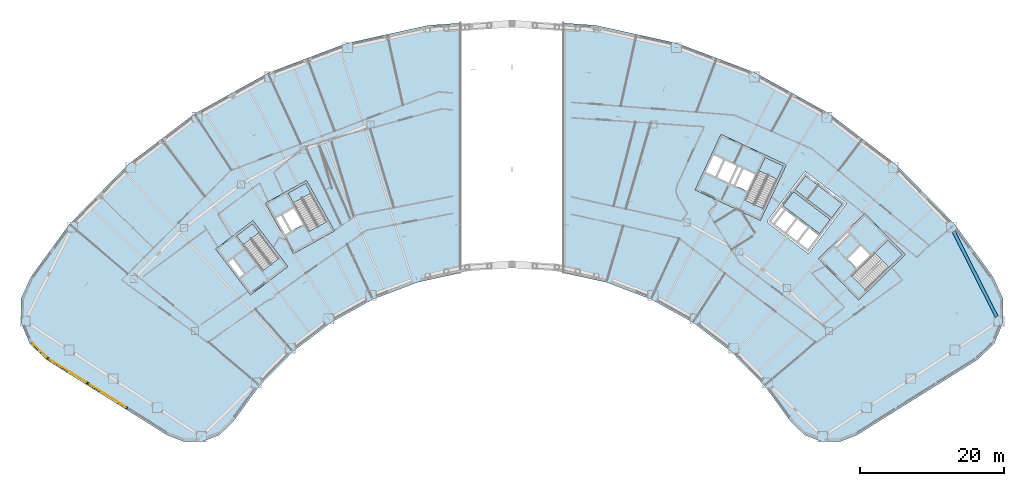
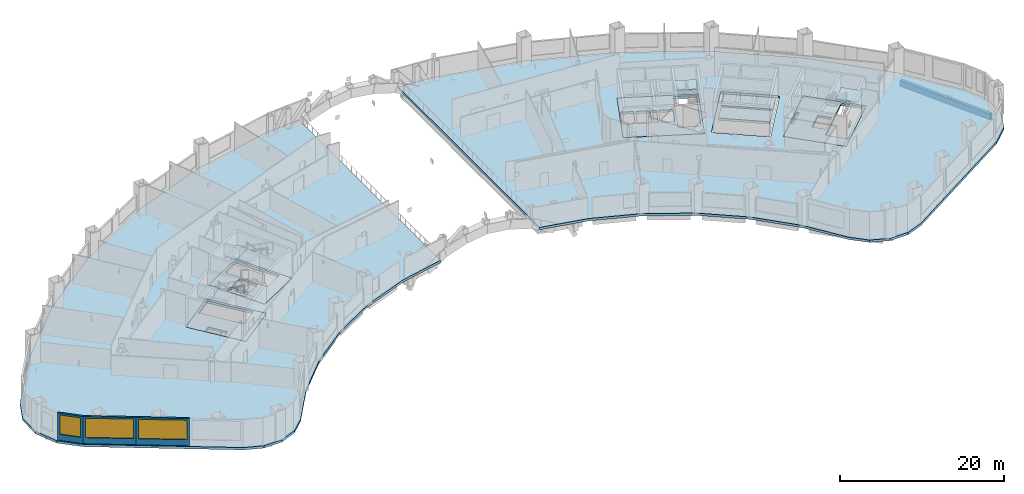
# One storey, part 5 of 24: 12 slabs, 3 walls, 3 windows, 1 beam, 3 openings, 4 elements without a shape of their own.
"""IFC4 building model written with IfcOpenShell, lengths in metres."""

from ifc_helpers import new_model, si_unit, direction, frame, frame_2d, origin, origin_2d, place, context, subcontext, project, spatial, polyline, rectangle, hollow_rectangle, outline, extrude, material, layer, layer_set, material_profile, profile_set, type_object, element, fill, aggregate, save


model = new_model("IFC4")

# Units and contexts
model_context = context("Model", 3, precision=1e-05, world=origin(), true_north=direction((0.0, 1.0)))
body_context = subcontext(model_context, "Body", "Model", "MODEL_VIEW")
ifc_project = project(units=[si_unit("LENGTHUNIT", "METRE"), si_unit("AREAUNIT", "SQUARE_METRE"), si_unit("VOLUMEUNIT", "CUBIC_METRE"), si_unit("PLANEANGLEUNIT", "RADIAN"), si_unit("MASSUNIT", "GRAM", prefix="KILO")], contexts=[model_context])

# Site, building, storey
site_placement = place(None, origin())
site = spatial("IfcSite", under=ifc_project, at=site_placement, CompositionType="ELEMENT")
building_placement = place(site_placement, origin())
building = spatial("IfcBuilding", under=site, at=building_placement, Name="Tuul Gate Civic Tower", CompositionType="ELEMENT")
storey_placement = place(building_placement, frame((0.0, 0.0, 21.89990234375)))
storey = spatial("IfcBuildingStorey", under=building, at=storey_placement, Name="Level 04", CompositionType="ELEMENT", Elevation=21.89990234375)

# Beam
ifc_material_1 = material(Name="Steel S355", Category="steel")
ifc_material_profile = material_profile(ifc_material_1, hollow_rectangle(XDim=0.449951171875, YDim=0.89990234375, WallThickness=0.02490234375, at=origin_2d()), Name="BOX900x450x25")
ifc_profile_set = profile_set([ifc_material_profile], Name="Steel S355")
beam_type = type_object("IfcBeamType", Name="STR-SPANDREL BEAM-BOX900x450x25", PredefinedType="BEAM", material=ifc_profile_set)
beam_placement = place(storey_placement, frame((67.245849609375, -20.742431640625, -0.7998046875), z_axis=(-0.451678979782, 0.892180530623, 0.0), x_axis=(-0.892180530623, -0.451678979782, 0.0)))
element("IfcBeam", 1, at=beam_placement, inside=storey, type_object=beam_type, Name="Spandrel beam", PredefinedType="BEAM", context=body_context, shape_type="SweptSolid", body=[
    extrude(hollow_rectangle(XDim=0.449951171875, YDim=0.89990234375, WallThickness=0.02490234375, at=origin_2d()), origin(), (0.0, 0.0, 1.0), 13.214599609375),
])

# Slabs
ifc_material_2 = material(Name="Concrete C40/50", Category="concrete")
ifc_layer_1 = layer(ifc_material_2, 0.35009765625)
ifc_layer_set_1 = layer_set([ifc_layer_1], Name="Concrete C40/50")
slab_type_1 = type_object("IfcSlabType", Name="Core floor slab 350", PredefinedType="FLOOR", material=ifc_layer_set_1)
slab_1_placement = place(storey_placement, frame((0.0, 0.0, -0.349853515625)))
element("IfcSlab", 2, at=slab_1_placement, inside=storey, type_object=slab_type_1, Name="FLOOR SLAB", PredefinedType="FLOOR", context=body_context, shape_type="SweptSolid", body=[
    extrude(outline(polyline([(-31.10009765625, -13.7890625), (-35.946044921875, -7.423828125), (-41.11767578125, -11.361572265625), (-36.271484375, -17.726806640625), (-31.10009765625, -13.7890625)]), holes=[polyline([(-37.19287109375, -14.783203125), (-38.737548828125, -12.75439453125), (-39.45361328125, -13.299560546875), (-37.908935546875, -15.328369140625), (-37.19287109375, -14.783203125)]), polyline([(-32.33935546875, -12.65771484375), (-34.56591796875, -14.352783203125), (-38.229736328125, -9.54052734375), (-36.003173828125, -7.845458984375), (-32.33935546875, -12.65771484375)])]), origin(), (0.0, 0.0, 1.0), 0.349853515625),
])
slab_2_placement = place(storey_placement, frame((0.0, 0.0, -0.349853515625)))
element("IfcSlab", 3, at=slab_2_placement, inside=storey, type_object=slab_type_1, Name="FLOOR SLAB", PredefinedType="FLOOR", context=body_context, shape_type="SweptSolid", body=[
    extrude(outline(polyline([(-24.638916015625, -8.846923828125), (-28.51708984375, -1.849853515625), (-34.2021484375, -5.0009765625), (-30.32421875, -11.998046875), (-24.638916015625, -8.846923828125)]), holes=[polyline([(-29.0185546875, -7.958740234375), (-30.254638671875, -5.728515625), (-31.785400390625, -6.576904296875), (-30.54931640625, -8.80712890625), (-29.0185546875, -7.958740234375)]), polyline([(-30.8115234375, -8.95263671875), (-32.047607421875, -6.72216796875), (-32.8349609375, -7.158447265625), (-31.5986328125, -9.388916015625), (-30.8115234375, -8.95263671875)]), polyline([(-25.702392578125, -7.548828125), (-28.14990234375, -8.905517578125), (-31.08203125, -3.615234375), (-28.63427734375, -2.2587890625), (-25.702392578125, -7.548828125)])]), origin(), (0.0, 0.0, 1.0), 0.349853515625),
])
slab_3_placement = place(storey_placement, frame((0.0, 0.0, -0.349853515625)))
element("IfcSlab", 4, at=slab_3_placement, inside=storey, type_object=slab_type_1, Name="FLOOR SLAB", PredefinedType="FLOOR", context=body_context, shape_type="SweptSolid", body=[
    extrude(outline(polyline([(48.117919921875, -18.43310546875), (54.545166015625, -12.1328125), (48.945068359375, -6.419921875), (42.517822265625, -12.719970703125), (48.117919921875, -18.43310546875)]), holes=[polyline([(47.808837890625, -13.974853515625), (49.6298828125, -12.18994140625), (48.40478515625, -10.940185546875), (46.583984375, -12.72509765625), (47.808837890625, -13.974853515625)]), polyline([(44.93896484375, -11.046875), (46.760009765625, -9.261962890625), (46.514892578125, -9.011962890625), (44.69384765625, -10.797119140625), (44.93896484375, -11.046875)]), polyline([(49.086181640625, -17.062744140625), (47.12744140625, -15.064208984375), (52.160888671875, -10.130126953125), (54.11962890625, -12.128662109375), (49.086181640625, -17.062744140625)])]), origin(), (0.0, 0.0, 1.0), 0.349853515625),
])
slab_4_placement = place(storey_placement, frame((0.0, 0.0, -0.349853515625)))
element("IfcSlab", 5, at=slab_4_placement, inside=storey, type_object=slab_type_1, Name="FLOOR SLAB", PredefinedType="FLOOR", context=body_context, shape_type="SweptSolid", body=[
    extrude(outline(polyline([(34.465087890625, -7.385986328125), (38.056884765625, 0.31787109375), (28.993896484375, 4.543701171875), (25.40185546875, -3.159912109375), (34.465087890625, -7.385986328125)]), holes=[polyline([(32.60888671875, -3.32080078125), (33.6865234375, -1.009765625), (32.1005859375, -0.27001953125), (31.02294921875, -2.581298828125), (32.60888671875, -3.32080078125)]), polyline([(30.0712890625, -2.137451171875), (31.14892578125, 0.173583984375), (29.562744140625, 0.9130859375), (28.4853515625, -1.39794921875), (30.0712890625, -2.137451171875)]), polyline([(30.751220703125, -2.454345703125), (31.82861328125, -0.143310546875), (31.4208984375, 0.046875), (30.34326171875, -2.264404296875), (30.751220703125, -2.454345703125)]), polyline([(28.21337890625, -1.27099609375), (29.291015625, 1.0400390625), (27.8408203125, 1.71630859375), (26.76318359375, -0.594970703125), (28.21337890625, -1.27099609375)]), polyline([(34.889892578125, -5.7626953125), (32.353759765625, -4.580078125), (35.120849609375, 1.354736328125), (37.6572265625, 0.17236328125), (34.889892578125, -5.7626953125)])]), origin(), (0.0, 0.0, 1.0), 0.349853515625),
])
ifc_material_3 = material(Name="Concrete C40/50", Category="concrete")
ifc_layer_2 = layer(ifc_material_3, 0.35009765625)
ifc_layer_set_2 = layer_set([ifc_layer_2], Name="Concrete C40/50")
slab_type_2 = type_object("IfcSlabType", Name="Core floor slab 350 non-bearing", PredefinedType="FLOOR", material=ifc_layer_set_2)
slab_5_placement = place(storey_placement, frame((0.0, 0.0, -0.349853515625)))
element("IfcSlab", 6, at=slab_5_placement, inside=storey, type_object=slab_type_2, Name="FLOOR SLAB", PredefinedType="FLOOR", context=body_context, shape_type="SweptSolid", body=[
    extrude(outline(polyline([(37.587890625, -5.350830078125), (39.072021484375, -3.401611328125), (44.163818359375, -7.279052734375), (42.6796875, -9.228271484375), (37.587890625, -5.350830078125)])), origin(), (0.0, 0.0, 1.0), 0.349853515625),
])
slab_6_placement = place(storey_placement, frame((0.0, 0.0, -0.349853515625)))
element("IfcSlab", 7, at=slab_6_placement, inside=storey, type_object=slab_type_2, Name="FLOOR SLAB", PredefinedType="FLOOR", context=body_context, shape_type="SweptSolid", body=[
    extrude(outline(polyline([(44.345458984375, -7.040283203125), (39.25390625, -3.162841796875), (40.73779296875, -1.213623046875), (45.82958984375, -5.091064453125), (44.345458984375, -7.040283203125)])), origin(), (0.0, 0.0, 1.0), 0.349853515625),
])

# Stair, slab
ifc_material_4 = material(Name="Concrete C40/50", Category="concrete")
stair_type = type_object("IfcStairType", Name="Exit stair", PredefinedType="HALF_TURN_STAIR", material=ifc_material_4)
stair_1_placement = place(storey_placement, origin())
stair_1 = element("IfcStair", 8, at=stair_1_placement, inside=storey, type_object=stair_type, Name="Level 04 ST-1", PredefinedType="HALF_TURN_STAIR")
ifc_material_5 = material(Name="Concrete C40/50", Category="concrete")
ifc_layer_3 = layer(ifc_material_5, 0.199951171875)
ifc_layer_set_3 = layer_set([ifc_layer_3], Name="Concrete C40/50")
slab_type_3 = type_object("IfcSlabType", Name="Exit stair landing", PredefinedType="LANDING", material=ifc_layer_set_3)
slab_7_placement = place(storey_placement, frame((0.0, 0.0, 2.2001953125)))
slab_7 = element("IfcSlab", 9, at=slab_7_placement, type_object=slab_type_3, Name="ST-1 landing 1", PredefinedType="LANDING", context=body_context, shape_type="SweptSolid", body=[
    extrude(outline(polyline([(-35.06298828125, -9.07763671875), (-37.2919921875, -10.774658203125), (-38.23193359375, -9.540283203125), (-36.0029296875, -7.843017578125), (-35.06298828125, -9.07763671875)])), origin(), (0.0, 0.0, 1.0), 0.199951171875),
])
aggregate(stair_1, [slab_7])

stair_2_placement = place(storey_placement, origin())
stair_2 = element("IfcStair", 10, at=stair_2_placement, inside=storey, type_object=stair_type, Name="Level 04 ST-2", PredefinedType="HALF_TURN_STAIR")
slab_8_placement = place(storey_placement, frame((0.0, 0.0, 2.2001953125)))
slab_8 = element("IfcSlab", 11, at=slab_8_placement, type_object=slab_type_3, Name="ST-2 landing 1", PredefinedType="LANDING", context=body_context, shape_type="SweptSolid", body=[
    extrude(outline(polyline([(-27.881591796875, -3.613525390625), (-30.33203125, -4.9716796875), (-31.084228515625, -3.61474609375), (-28.6337890625, -2.256591796875), (-27.881591796875, -3.613525390625)])), origin(), (0.0, 0.0, 1.0), 0.199951171875),
])
aggregate(stair_2, [slab_8])

stair_3_placement = place(storey_placement, origin())
stair_3 = element("IfcStair", 12, at=stair_3_placement, inside=storey, type_object=stair_type, Name="Level 04 ST-3", PredefinedType="HALF_TURN_STAIR")
slab_9_placement = place(storey_placement, frame((0.0, 0.0, 2.2001953125)))
slab_9 = element("IfcSlab", 13, at=slab_9_placement, type_object=slab_type_3, Name="ST-3 landing 1", PredefinedType="LANDING", context=body_context, shape_type="SweptSolid", body=[
    extrude(outline(polyline([(52.2998046875, -13.914794921875), (50.338623046875, -11.9140625), (52.160888671875, -10.1279296875), (54.1220703125, -12.128662109375), (52.2998046875, -13.914794921875)])), origin(), (0.0, 0.0, 1.0), 0.199951171875),
])
aggregate(stair_3, [slab_9])

stair_4_placement = place(storey_placement, origin())
stair_4 = element("IfcStair", 14, at=stair_4_placement, inside=storey, type_object=stair_type, Name="Level 04 ST-4", PredefinedType="HALF_TURN_STAIR")
slab_10_placement = place(storey_placement, frame((0.0, 0.0, 2.2001953125)))
slab_10 = element("IfcSlab", 15, at=slab_10_placement, type_object=slab_type_3, Name="ST-4 landing 1", PredefinedType="LANDING", context=body_context, shape_type="SweptSolid", body=[
    extrude(outline(polyline([(36.792236328125, -1.686279296875), (34.253173828125, -0.50244140625), (35.1201171875, 1.35693359375), (37.659423828125, 0.173095703125), (36.792236328125, -1.686279296875)])), origin(), (0.0, 0.0, 1.0), 0.199951171875),
])
aggregate(stair_4, [slab_10])

# Slabs
ifc_material_6 = material(Name="Concrete C35/45", Category="concrete")
ifc_layer_4 = layer(ifc_material_6, 0.35009765625)
ifc_layer_set_4 = layer_set([ifc_layer_4], Name="Concrete C35/45")
slab_type_4 = type_object("IfcSlabType", Name="STR-FLOOR-SLAB-350", PredefinedType="FLOOR", material=ifc_layer_set_4)
slab_11_placement = place(storey_placement, frame((0.0, 0.0, -0.349853515625)))
element("IfcSlab", 16, at=slab_11_placement, inside=storey, type_object=slab_type_4, Name="Level 04/slab/W", PredefinedType="FLOOR", context=body_context, shape_type="SweptSolid", body=[
    extrude(outline(polyline([(-19.304931640625, -18.3291015625), (-13.097900390625, -15.98193359375), (-7.0, -14.637939453125), (-7.0, 20.009033203125), (-11.60302734375, 19.675048828125), (-22.964111328125, 17.1708984375), (-33.844970703125, 13.056884765625), (-44.02001953125, 7.4169921875), (-53.27587890625, 0.368896484375), (-61.419921875, -7.93896484375), (-66.757080078125, -15.24609375), (-68.10302734375, -18.218017578125), (-68.15087890625, -21.48095703125), (-66.89208984375, -24.490966796875), (-64.535888671875, -26.7490234375), (-47.85888671875, -37.1689453125), (-45.4990234375, -38.087890625), (-42.967041015625, -38.0791015625), (-40.613037109375, -37.14404296875), (-38.763916015625, -35.4130859375), (-35.032958984375, -30.304931640625), (-30.387939453125, -25.56591796875), (-25.10888671875, -21.5458984375), (-19.304931640625, -18.3291015625)]), holes=[polyline([(-31.10009765625, -13.7890625), (-36.27197265625, -17.72705078125), (-41.117919921875, -11.362060546875), (-35.946044921875, -7.424072265625), (-31.10009765625, -13.7890625)]), polyline([(-30.323974609375, -11.998046875), (-34.201904296875, -5.0009765625), (-28.51708984375, -1.85009765625), (-24.638916015625, -8.846923828125), (-30.323974609375, -11.998046875)])]), origin(), (0.0, 0.0, 1.0), 0.349853515625),
])
slab_12_placement = place(storey_placement, frame((0.0, 0.0, -0.349853515625)))
element("IfcSlab", 17, at=slab_12_placement, inside=storey, type_object=slab_type_4, Name="Level 04/slab/E", PredefinedType="FLOOR", context=body_context, shape_type="SweptSolid", body=[
    extrude(outline(polyline([(22.964111328125, 17.1708984375), (11.60302734375, 19.675048828125), (7.0, 20.009033203125), (7.0, -14.637939453125), (13.097900390625, -15.98193359375), (19.304931640625, -18.3291015625), (25.10888671875, -21.5458984375), (30.387939453125, -25.56591796875), (35.032958984375, -30.304931640625), (38.763916015625, -35.4130859375), (40.613037109375, -37.14404296875), (42.967041015625, -38.0791015625), (45.4990234375, -38.087890625), (47.85888671875, -37.1689453125), (64.535888671875, -26.7490234375), (66.89208984375, -24.490966796875), (68.15087890625, -21.48095703125), (68.10302734375, -18.218017578125), (66.757080078125, -15.24609375), (61.419921875, -7.93896484375), (53.27587890625, 0.368896484375), (44.02001953125, 7.4169921875), (33.844970703125, 13.056884765625), (22.964111328125, 17.1708984375)]), holes=[polyline([(42.51806640625, -12.719970703125), (48.945068359375, -6.419921875), (54.544921875, -12.133056640625), (48.117919921875, -18.43310546875), (42.51806640625, -12.719970703125)]), polyline([(41.010009765625, -11.916015625), (35.44091796875, -7.675048828125), (35.4130859375, -7.465087890625), (40.56201171875, -0.701904296875), (40.77197265625, -0.674072265625), (46.341064453125, -4.9150390625), (46.368896484375, -5.125), (41.219970703125, -11.887939453125), (41.010009765625, -11.916015625)]), polyline([(25.402099609375, -3.159912109375), (28.993896484375, 4.5439453125), (38.056884765625, 0.318115234375), (34.465087890625, -7.385986328125), (25.402099609375, -3.159912109375)])]), origin(), (0.0, 0.0, 1.0), 0.349853515625),
])

# Wall, opening, window
ifc_material_7 = material(Name="Precast concrete C40/50", Category="concrete")
ifc_layer_5 = layer(ifc_material_7, 0.25)
ifc_layer_set_5 = layer_set([ifc_layer_5], Name="Precast concrete C40/50")
wall_type = type_object("IfcWallType", Name="External wall", PredefinedType="STANDARD", material=ifc_layer_set_5)
wall_1_placement = place(storey_placement, frame((-66.6826171875, -24.316650390625, 0.0), z_axis=(0.0, 0.0, 1.0), x_axis=(0.722378510216, -0.69149785826, 0.0)))
wall_1 = element("IfcWall", 18, at=wall_1_placement, inside=storey, type_object=wall_type, Name="External wall", PredefinedType="STANDARD", context=body_context, shape_type="SweptSolid", body=[
    extrude(rectangle(XDim=3.201904296875, YDim=0.25, at=frame_2d((1.60107421875, 0.0))), origin(), (0.0, 0.0, 1.0), 4.050048828125),
])
opening_1_placement = place(wall_1_placement, frame((0.301025390625, 0.0, 0.89990234375)))
opening_1 = element("IfcOpeningElement", 19, at=opening_1_placement, cuts=wall_1, Name="Opening W8", PredefinedType="OPENING", context=body_context, shape_type="SweptSolid", body=[
    extrude(rectangle(XDim=2.60009765625, YDim=2.89990234375, at=frame_2d((1.300048828125, 1.449951171875))), frame((0.0, 0.135009765625, 0.0), z_axis=(0.0, -1.0, 0.0), x_axis=(1.0, 0.0, 0.0)), (0.0, 0.0, 1.0), 0.27001953125),
])
ifc_material_8 = material(Name="Glass", Category="glass")
window_type_1 = type_object("IfcWindowType", Name="Window W8 2600 x 2900", PartitioningType="SINGLE_PANEL", PredefinedType="WINDOW", material=ifc_material_8)
window_1_placement = place(opening_1_placement, origin())
window_1 = element("IfcWindow", 20, at=window_1_placement, inside=storey, type_object=window_type_1, Name="Window", OverallHeight=2.89990234375, OverallWidth=2.60009765625, PartitioningType="SINGLE_PANEL", PredefinedType="WINDOW", context=body_context, shape_type="SweptSolid", body=[
    extrude(rectangle(XDim=2.60009765625, YDim=2.89990234375, at=frame_2d((1.300048828125, 1.449951171875))), frame((0.0, 0.030029296875, 0.0), z_axis=(0.0, -1.0, 0.0), x_axis=(1.0, 0.0, 0.0)), (0.0, 0.0, 1.0), 0.06005859375),
])
fill(opening_1, window_1)

wall_2_placement = place(storey_placement, frame((-64.3896484375, -26.514892578125, 0.0), z_axis=(0.0, 0.0, 1.0), x_axis=(0.84801510827, -0.529972052232, 0.0)))
wall_2 = element("IfcWall", 21, at=wall_2_placement, inside=storey, type_object=wall_type, Name="External wall", PredefinedType="STANDARD", context=body_context, shape_type="SweptSolid", body=[
    extrude(rectangle(XDim=6.529541015625, YDim=0.25, at=frame_2d((3.2646484375, 0.0))), origin(), (0.0, 0.0, 1.0), 4.050048828125),
])
opening_2_placement = place(wall_2_placement, frame((0.314697265625, 0.0, 0.89990234375)))
opening_2 = element("IfcOpeningElement", 22, at=opening_2_placement, cuts=wall_2, Name="Opening W14", PredefinedType="OPENING", context=body_context, shape_type="SweptSolid", body=[
    extrude(rectangle(XDim=5.89990234375, YDim=2.89990234375, at=frame_2d((2.949951171875, 1.449951171875))), frame((0.0, 0.135009765625, 0.0), z_axis=(0.0, -1.0, 0.0), x_axis=(1.0, 0.0, 0.0)), (0.0, 0.0, 1.0), 0.27001953125),
])
ifc_material_9 = material(Name="Glass", Category="glass")
window_type_2 = type_object("IfcWindowType", Name="Window W14 5900 x 2900", PartitioningType="SINGLE_PANEL", PredefinedType="WINDOW", material=ifc_material_9)
window_2_placement = place(opening_2_placement, origin())
window_2 = element("IfcWindow", 23, at=window_2_placement, inside=storey, type_object=window_type_2, Name="Window", OverallHeight=2.89990234375, OverallWidth=5.89990234375, PartitioningType="SINGLE_PANEL", PredefinedType="WINDOW", context=body_context, shape_type="SweptSolid", body=[
    extrude(rectangle(XDim=5.89990234375, YDim=2.89990234375, at=frame_2d((2.949951171875, 1.449951171875))), frame((0.0, 0.030029296875, 0.0), z_axis=(0.0, -1.0, 0.0), x_axis=(1.0, 0.0, 0.0)), (0.0, 0.0, 1.0), 0.06005859375),
])
fill(opening_2, window_2)

wall_3_placement = place(storey_placement, frame((-58.8525390625, -29.975341796875, 0.0), z_axis=(0.0, 0.0, 1.0), x_axis=(0.848042412856, -0.529928359306, 0.0)))
wall_3 = element("IfcWall", 24, at=wall_3_placement, inside=storey, type_object=wall_type, Name="External wall", PredefinedType="STANDARD", context=body_context, shape_type="SweptSolid", body=[
    extrude(rectangle(XDim=6.529541015625, YDim=0.25, at=frame_2d((3.2646484375, 0.0))), origin(), (0.0, 0.0, 1.0), 4.050048828125),
])
opening_3_placement = place(wall_3_placement, frame((0.314697265625, 0.0, 0.89990234375)))
opening_3 = element("IfcOpeningElement", 25, at=opening_3_placement, cuts=wall_3, Name="Opening W14", PredefinedType="OPENING", context=body_context, shape_type="SweptSolid", body=[
    extrude(rectangle(XDim=5.89990234375, YDim=2.89990234375, at=frame_2d((2.949951171875, 1.449951171875))), frame((0.0, 0.135009765625, 0.0), z_axis=(0.0, -1.0, 0.0), x_axis=(1.0, 0.0, 0.0)), (0.0, 0.0, 1.0), 0.27001953125),
])
window_3_placement = place(opening_3_placement, origin())
window_3 = element("IfcWindow", 26, at=window_3_placement, inside=storey, type_object=window_type_2, Name="Window", OverallHeight=2.89990234375, OverallWidth=5.89990234375, PartitioningType="SINGLE_PANEL", PredefinedType="WINDOW", context=body_context, shape_type="SweptSolid", body=[
    extrude(rectangle(XDim=5.89990234375, YDim=2.89990234375, at=frame_2d((2.949951171875, 1.449951171875))), frame((0.0, 0.030029296875, 0.0), z_axis=(0.0, -1.0, 0.0), x_axis=(1.0, 0.0, 0.0)), (0.0, 0.0, 1.0), 0.06005859375),
])
fill(opening_3, window_3)

save(model, "model.ifc")
